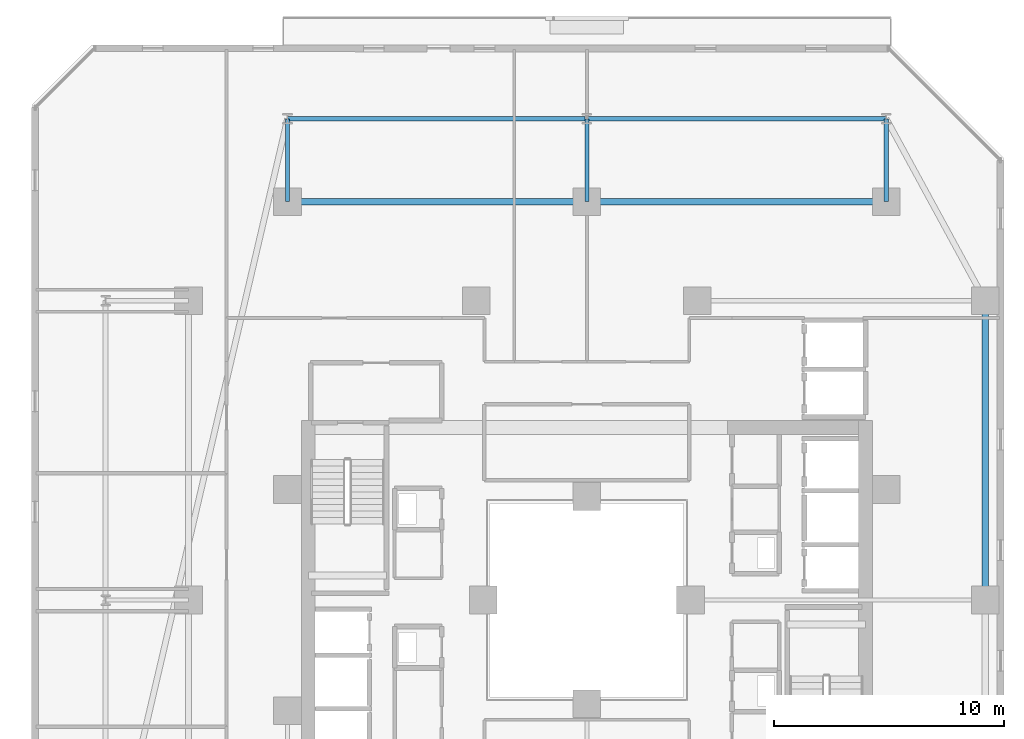
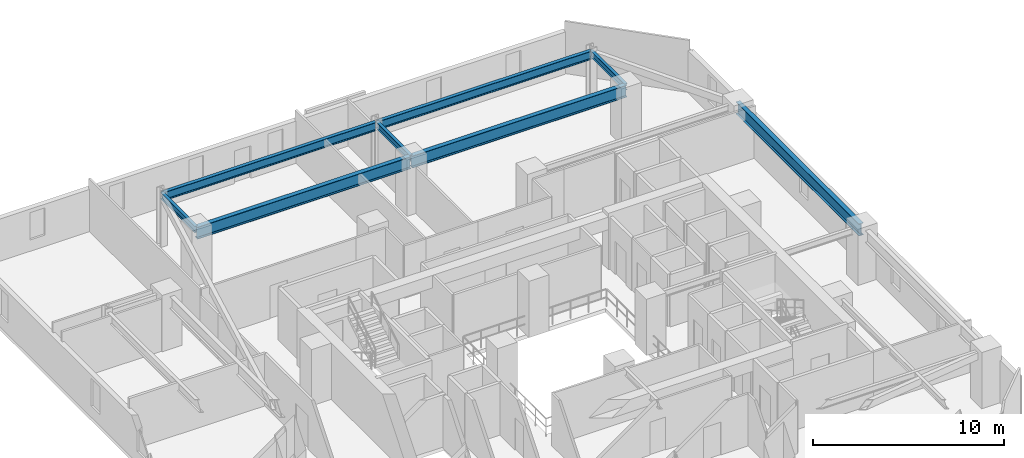
# One storey, part 13 of 31: 8 beams.
"""IFC4 building model written with IfcOpenShell, lengths in metres."""

from ifc_helpers import new_model, si_unit, direction, frame, origin, origin_2d, place, context, subcontext, project, spatial, i_section, extrude, material, material_profile, profile_set, type_object, element, save


model = new_model("IFC4")

# Units and contexts
model_context = context("Model", 3, precision=1e-05, world=origin(), true_north=direction((0.0, 1.0)))
body_context = subcontext(model_context, "Body", "Model", "MODEL_VIEW")
ifc_project = project(units=[si_unit("LENGTHUNIT", "METRE"), si_unit("AREAUNIT", "SQUARE_METRE"), si_unit("VOLUMEUNIT", "CUBIC_METRE"), si_unit("PLANEANGLEUNIT", "RADIAN"), si_unit("MASSUNIT", "GRAM", prefix="KILO")], contexts=[model_context])

# Site, building, storey
site_placement = place(None, origin())
site = spatial("IfcSite", under=ifc_project, at=site_placement, CompositionType="ELEMENT")
building_placement = place(site_placement, origin())
building = spatial("IfcBuilding", under=site, at=building_placement, Name="Thornwick Lancets Civic Towers", CompositionType="ELEMENT")
storey_placement = place(building_placement, frame((0.0, 0.0, 90.89990234375)))
storey = spatial("IfcBuildingStorey", under=building, at=storey_placement, Name="L23", CompositionType="ELEMENT", Elevation=90.89990234375)

# Beams
ifc_material = material(Name="Steel S355JR", Category="steel")
ifc_material_profile_1 = material_profile(ifc_material, i_section(OverallWidth=0.2119140625, OverallDepth=0.54443359375, WebThickness=0.0126953125, FlangeThickness=0.021240234375, FilletRadius=0.0126953125, at=origin_2d()), Name="UKB 533x210x122")
ifc_profile_set_1 = profile_set([ifc_material_profile_1], Name="Steel S355JR")
beam_type_1 = type_object("IfcBeamType", Name="BM_EDGE_533_122", PredefinedType="SPANDREL", material=ifc_profile_set_1)
beam_1_placement = place(storey_placement, frame((101.5, 47.89990234375, 3.087890625), z_axis=(-1.0, 0.0, 0.0), x_axis=(0.0, -1.0, 0.0)))
element("IfcBeam", 1, at=beam_1_placement, inside=storey, type_object=beam_type_1, Name="BM-EDGE-L23-B-S1-1", PredefinedType="SPANDREL", context=body_context, shape_type="SweptSolid", body=[
    extrude(i_section(OverallWidth=0.2119140625, OverallDepth=0.54443359375, WebThickness=0.0126953125, FlangeThickness=0.021240234375, FilletRadius=0.0126953125, at=origin_2d()), origin(), (0.0, 0.0, 1.0), 13.0),
])
beam_2_placement = place(storey_placement, frame((88.419921875, 47.89990234375, 3.087890625), z_axis=(-1.0, 0.0, 0.0), x_axis=(0.0, -1.0, 0.0)))
element("IfcBeam", 2, at=beam_2_placement, inside=storey, type_object=beam_type_1, Name="BM-EDGE-L23-B-S1-2", PredefinedType="SPANDREL", context=body_context, shape_type="SweptSolid", body=[
    extrude(i_section(OverallWidth=0.2119140625, OverallDepth=0.54443359375, WebThickness=0.0126953125, FlangeThickness=0.021240234375, FilletRadius=0.0126953125, at=origin_2d()), origin(), (0.0, 0.0, 1.0), 12.919921875),
])
ifc_material_profile_2 = material_profile(ifc_material, i_section(OverallWidth=0.26806640625, OverallDepth=0.769775390625, WebThickness=0.015625, FlangeThickness=0.025390625, FilletRadius=0.0166015625, at=origin_2d()), Name="UKB 762x267x197")
ifc_profile_set_2 = profile_set([ifc_material_profile_2], Name="Steel S355JR")
beam_type_2 = type_object("IfcBeamType", Name="BM_GIRD_762_197", PredefinedType="BEAM", material=ifc_profile_set_2)
beam_3_placement = place(storey_placement, frame((105.800048828125, 27.080078125, 2.97509765625), z_axis=(0.0, 1.0, 0.0), x_axis=(-1.0, 0.0, 0.0)))
element("IfcBeam", 3, at=beam_3_placement, inside=storey, type_object=beam_type_2, Name="BM-SPINE-L23-B-1-2", PredefinedType="BEAM", context=body_context, shape_type="SweptSolid", body=[
    extrude(i_section(OverallWidth=0.26806640625, OverallDepth=0.769775390625, WebThickness=0.015625, FlangeThickness=0.025390625, FilletRadius=0.0166015625, at=origin_2d()), origin(), (0.0, 0.0, 1.0), 12.919921875),
])
beam_4_placement = place(storey_placement, frame((101.5, 44.300048828125, 2.97509765625), z_axis=(-1.0, 0.0, 0.0), x_axis=(0.0, -1.0, 0.0)))
element("IfcBeam", 4, at=beam_4_placement, inside=storey, type_object=beam_type_2, Name="BM-SPINE-L23-B-3-4", PredefinedType="BEAM", context=body_context, shape_type="SweptSolid", body=[
    extrude(i_section(OverallWidth=0.26806640625, OverallDepth=0.769775390625, WebThickness=0.015625, FlangeThickness=0.025390625, FilletRadius=0.0166015625, at=origin_2d()), origin(), (0.0, 0.0, 1.0), 13.0),
])
beam_5_placement = place(storey_placement, frame((88.419921875, 44.300048828125, 2.97509765625), z_axis=(-1.0, 0.0, 0.0), x_axis=(0.0, -1.0, 0.0)))
element("IfcBeam", 5, at=beam_5_placement, inside=storey, type_object=beam_type_2, Name="BM-SPINE-L23-B-4-5", PredefinedType="BEAM", context=body_context, shape_type="SweptSolid", body=[
    extrude(i_section(OverallWidth=0.26806640625, OverallDepth=0.769775390625, WebThickness=0.015625, FlangeThickness=0.025390625, FilletRadius=0.0166015625, at=origin_2d()), origin(), (0.0, 0.0, 1.0), 12.919921875),
])
ifc_material_profile_3 = material_profile(ifc_material, i_section(OverallWidth=0.179443359375, OverallDepth=0.412841796875, WebThickness=0.009521484375, FlangeThickness=0.01611328125, FilletRadius=0.01025390625, at=origin_2d()), Name="UKB 406x178x74")
ifc_profile_set_3 = profile_set([ifc_material_profile_3], Name="Steel S355JR")
beam_type_3 = type_object("IfcBeamType", Name="BM_JOIST_406_74", PredefinedType="JOIST", material=ifc_profile_set_3)
for number, where, z_axis, x_axis, name in (
    (6, (101.5, 44.300048828125, 3.15380859375), (0.0, 1.0, 0.0), (-1.0, 0.0, 0.0), "BM-RAD-L23-B04"),
    (7, (88.5, 44.300048828125, 3.15380859375), (0.0, 1.0, 0.0), (-1.0, 0.0, 0.0), "BM-RAD-L23-B05"),
    (8, (75.5, 44.300048828125, 3.15380859375), (0.0, 1.0, 0.0), (-1.0, 0.0, 0.0), "BM-RAD-L23-B06"),
):
    element("IfcBeam", number, at=place(storey_placement, frame(where, z_axis=z_axis, x_axis=x_axis)), inside=storey, type_object=beam_type_3, Name=name, PredefinedType="JOIST", context=body_context, shape_type="SweptSolid", body=[
        extrude(i_section(OverallWidth=0.179443359375, OverallDepth=0.412841796875, WebThickness=0.009521484375, FlangeThickness=0.01611328125, FilletRadius=0.01025390625, at=origin_2d()), origin(), (0.0, 0.0, 1.0), 3.599853515625),
    ])

save(model, "model.ifc")
